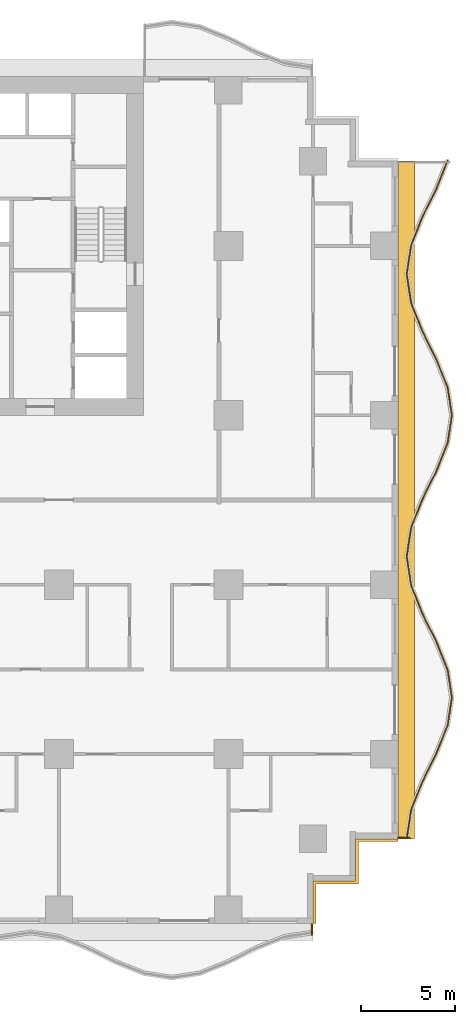
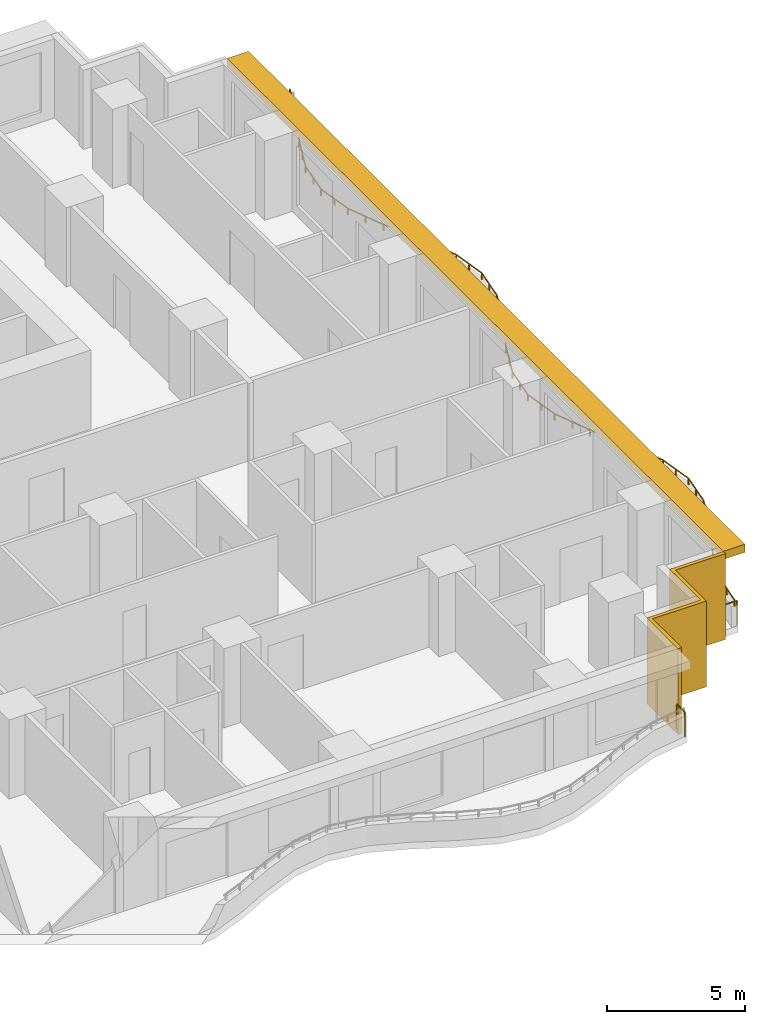
# One storey, part 11 of 14: 3 railings, 2 shading devices.
"""IFC4 building model written with IfcOpenShell, lengths in metres."""

from ifc_helpers import new_model, si_unit, direction, frame, origin, origin_2d, place, context, subcontext, project, spatial, polyline, rectangle, outline, extrude, material, layer, layer_set, type_object, element, save


model = new_model("IFC4")

# Units and contexts
model_context = context("Model", 3, precision=1e-05, world=origin(), true_north=direction((0.0, 1.0)))
body_context = subcontext(model_context, "Body", "Model", "MODEL_VIEW")
ifc_project = project(units=[si_unit("LENGTHUNIT", "METRE"), si_unit("AREAUNIT", "SQUARE_METRE"), si_unit("VOLUMEUNIT", "CUBIC_METRE"), si_unit("PLANEANGLEUNIT", "RADIAN"), si_unit("MASSUNIT", "GRAM", prefix="KILO")], contexts=[model_context])

# Site, building, storey
site_placement = place(None, origin())
site = spatial("IfcSite", under=ifc_project, at=site_placement, CompositionType="ELEMENT")
building_placement = place(site_placement, origin())
building = spatial("IfcBuilding", under=site, at=building_placement, Name="Orbiselva Terraces", CompositionType="ELEMENT")
storey_placement = place(building_placement, frame((0.0, 0.0, 37.8)))
storey = spatial("IfcBuildingStorey", under=building, at=storey_placement, Name="L09", CompositionType="ELEMENT", Elevation=37.8)

# Railings
ifc_material_1 = material(Name="Bonded two-ply safety glass balustrade, stainless steel posts", Category="steel")
railing_type_1 = type_object("IfcRailingType", Name="ENV-BALUSTRADE-1200", PredefinedType="BALUSTRADE", material=ifc_material_1)
railing_1_placement = place(storey_placement, frame((27.476434, -17.981121, 0.9)))
element("IfcRailing", 1, at=railing_1_placement, inside=storey, type_object=railing_type_1, Name="Balcony balustrade L09 E", PredefinedType="BALUSTRADE", context=body_context, shape_type="SweptSolid", body=[
    extrude(outline(polyline([(0.028868, 0.0), (0.014434, 0.025), (-0.014434, 0.025), (-0.028868, 0.0), (-0.014434, -0.025), (0.014434, -0.025), (0.028868, 0.0)])), frame((0.0, 0.0, 0.275), z_axis=(0.151033869252, 0.988528588529, 0.0), x_axis=(-0.988528588529, 0.151033869252, 0.0)), (0.0, 0.0, 1.0), 1.531776),
    extrude(outline(polyline([(0.028868, 0.0), (0.014434, 0.025), (-0.014434, 0.025), (-0.028868, 0.0), (-0.014434, -0.025), (0.014434, -0.025), (0.028868, 0.0)])), frame((0.23135, 1.514204, 0.275), z_axis=(0.371390359967, 0.92847681744, 0.0), x_axis=(-0.92847681744, 0.371390359967, 0.0)), (0.0, 0.0, 1.0), 1.634838),
    extrude(outline(polyline([(0.028868, 0.0), (0.014434, 0.025), (-0.014434, 0.025), (-0.028868, 0.0), (-0.014434, -0.025), (0.014434, -0.025), (0.028868, 0.0)])), frame((0.838513, 3.032113, 0.275), z_axis=(0.443212307306, 0.896416672454, 0.0), x_axis=(-0.896416672454, 0.443212307306, 0.0)), (0.0, 0.0, 1.0), 1.673329),
    extrude(outline(polyline([(0.028868, 0.0), (0.014434, 0.025), (-0.014434, 0.025), (-0.028868, 0.0), (-0.014434, -0.025), (0.014434, -0.025), (0.028868, 0.0)])), frame((1.580153, 4.532113, 0.275), z_axis=(0.371391000387, 0.928476561272, 0.0), x_axis=(-0.928476561272, 0.371391000387, 0.0)), (0.0, 0.0, 1.0), 1.596261),
    extrude(outline(polyline([(0.028868, 0.0), (0.014434, 0.025), (-0.014434, 0.025), (-0.028868, 0.0), (-0.014434, -0.025), (0.014434, -0.025), (0.028868, 0.0)])), frame((2.17299, 6.014204, 0.275), z_axis=(0.151033749027, 0.988528606898, 0.0), x_axis=(-0.988528606898, 0.151033749027, 0.0)), (0.0, 0.0, 1.0), 1.48394),
    extrude(outline(polyline([(0.028868, 0.0), (0.014434, 0.025), (-0.014434, 0.025), (-0.028868, 0.0), (-0.014434, -0.025), (0.014434, -0.025), (0.028868, 0.0)])), frame((2.397115, 7.481121, 0.275), z_axis=(-0.151033749027, 0.988528606898, 0.0), x_axis=(-0.988528606898, -0.151033749027, 0.0)), (0.0, 0.0, 1.0), 1.48394),
    extrude(outline(polyline([(0.028868, 0.0), (0.014434, 0.025), (-0.014434, 0.025), (-0.028868, 0.0), (-0.014434, -0.025), (0.014434, -0.025), (0.028868, 0.0)])), frame((2.17299, 8.948038, 0.275), z_axis=(-0.371391000387, 0.928476561272, 0.0), x_axis=(-0.928476561272, -0.371391000387, 0.0)), (0.0, 0.0, 1.0), 1.596261),
    extrude(outline(polyline([(0.028868, 0.0), (0.014434, 0.025), (-0.014434, 0.025), (-0.028868, 0.0), (-0.014434, -0.025), (0.014434, -0.025), (0.028868, 0.0)])), frame((1.580153, 10.430129, 0.275), z_axis=(-0.443212307306, 0.896416672454, 0.0), x_axis=(-0.896416672454, -0.443212307306, 0.0)), (0.0, 0.0, 1.0), 1.673329),
    extrude(outline(polyline([(0.028868, 0.0), (0.014434, 0.025), (-0.014434, 0.025), (-0.028868, 0.0), (-0.014434, -0.025), (0.014434, -0.025), (0.028868, 0.0)])), frame((0.838513, 11.930129, 0.275), z_axis=(-0.371390359967, 0.92847681744, 0.0), x_axis=(-0.92847681744, -0.371390359967, 0.0)), (0.0, 0.0, 1.0), 1.634838),
    extrude(outline(polyline([(0.028868, 0.0), (0.014434, 0.025), (-0.014434, 0.025), (-0.028868, 0.0), (-0.014434, -0.025), (0.014434, -0.025), (0.028868, 0.0)])), frame((0.23135, 13.448038, 0.275), z_axis=(-0.151034211256, 0.988528536275, 0.0), x_axis=(-0.988528536275, -0.151034211256, 0.0)), (0.0, 0.0, 1.0), 1.550874),
    extrude(outline(polyline([(0.028868, 0.0), (0.014434, 0.025), (-0.014434, 0.025), (-0.028868, 0.0), (-0.014434, -0.025), (0.014434, -0.025), (0.028868, 0.0)])), frame((-0.002885, 14.981121, 0.275), z_axis=(0.151034211256, 0.988528536275, 0.0), x_axis=(-0.988528536275, 0.151034211256, 0.0)), (0.0, 0.0, 1.0), 1.550874),
    extrude(outline(polyline([(0.028868, 0.0), (0.014434, 0.025), (-0.014434, 0.025), (-0.028868, 0.0), (-0.014434, -0.025), (0.014434, -0.025), (0.028868, 0.0)])), frame((0.23135, 16.514204, 0.275), z_axis=(0.371390359967, 0.92847681744, 0.0), x_axis=(-0.92847681744, 0.371390359967, 0.0)), (0.0, 0.0, 1.0), 1.634838),
    extrude(outline(polyline([(0.028868, 0.0), (0.014434, 0.025), (-0.014434, 0.025), (-0.028868, 0.0), (-0.014434, -0.025), (0.014434, -0.025), (0.028868, 0.0)])), frame((0.838513, 18.032113, 0.275), z_axis=(0.443212307306, 0.896416672454, 0.0), x_axis=(-0.896416672454, 0.443212307306, 0.0)), (0.0, 0.0, 1.0), 1.673329),
    extrude(outline(polyline([(0.028868, 0.0), (0.014434, 0.025), (-0.014434, 0.025), (-0.028868, 0.0), (-0.014434, -0.025), (0.014434, -0.025), (0.028868, 0.0)])), frame((1.580153, 19.532113, 0.275), z_axis=(0.371391000387, 0.928476561272, 0.0), x_axis=(-0.928476561272, 0.371391000387, 0.0)), (0.0, 0.0, 1.0), 1.596261),
    extrude(outline(polyline([(0.028868, 0.0), (0.014434, 0.025), (-0.014434, 0.025), (-0.028868, 0.0), (-0.014434, -0.025), (0.014434, -0.025), (0.028868, 0.0)])), frame((2.17299, 21.014204, 0.275), z_axis=(0.151033749027, 0.988528606898, 0.0), x_axis=(-0.988528606898, 0.151033749027, 0.0)), (0.0, 0.0, 1.0), 1.48394),
    extrude(outline(polyline([(0.028868, 0.0), (0.014434, 0.025), (-0.014434, 0.025), (-0.028868, 0.0), (-0.014434, -0.025), (0.014434, -0.025), (0.028868, 0.0)])), frame((2.397115, 22.481121, 0.275), z_axis=(-0.151033749027, 0.988528606898, 0.0), x_axis=(-0.988528606898, -0.151033749027, 0.0)), (0.0, 0.0, 1.0), 1.48394),
    extrude(outline(polyline([(0.028868, 0.0), (0.014434, 0.025), (-0.014434, 0.025), (-0.028868, 0.0), (-0.014434, -0.025), (0.014434, -0.025), (0.028868, 0.0)])), frame((2.17299, 23.948038, 0.275), z_axis=(-0.371391000387, 0.928476561272, 0.0), x_axis=(-0.928476561272, -0.371391000387, 0.0)), (0.0, 0.0, 1.0), 1.596261),
    extrude(outline(polyline([(0.028868, 0.0), (0.014434, 0.025), (-0.014434, 0.025), (-0.028868, 0.0), (-0.014434, -0.025), (0.014434, -0.025), (0.028868, 0.0)])), frame((1.580153, 25.430129, 0.275), z_axis=(-0.443212307306, 0.896416672454, 0.0), x_axis=(-0.896416672454, -0.443212307306, 0.0)), (0.0, 0.0, 1.0), 1.673329),
    extrude(outline(polyline([(0.028868, 0.0), (0.014434, 0.025), (-0.014434, 0.025), (-0.028868, 0.0), (-0.014434, -0.025), (0.014434, -0.025), (0.028868, 0.0)])), frame((0.838513, 26.930129, 0.275), z_axis=(-0.371390359967, 0.92847681744, 0.0), x_axis=(-0.92847681744, -0.371390359967, 0.0)), (0.0, 0.0, 1.0), 1.634838),
    extrude(outline(polyline([(0.028868, 0.0), (0.014434, 0.025), (-0.014434, 0.025), (-0.028868, 0.0), (-0.014434, -0.025), (0.014434, -0.025), (0.028868, 0.0)])), frame((0.23135, 28.448038, 0.275), z_axis=(-0.151034211256, 0.988528536275, 0.0), x_axis=(-0.988528536275, -0.151034211256, 0.0)), (0.0, 0.0, 1.0), 1.550874),
    extrude(outline(polyline([(0.028868, 0.0), (0.014434, 0.025), (-0.014434, 0.025), (-0.028868, 0.0), (-0.014434, -0.025), (0.014434, -0.025), (0.028868, 0.0)])), frame((-0.002885, 29.981121, 0.275), z_axis=(0.151034211256, 0.988528536275, 0.0), x_axis=(-0.988528536275, 0.151034211256, 0.0)), (0.0, 0.0, 1.0), 1.550874),
    extrude(outline(polyline([(0.028868, 0.0), (0.014434, 0.025), (-0.014434, 0.025), (-0.028868, 0.0), (-0.014434, -0.025), (0.014434, -0.025), (0.028868, 0.0)])), frame((0.23135, 31.514204, 0.275), z_axis=(0.371390359967, 0.92847681744, 0.0), x_axis=(-0.92847681744, 0.371390359967, 0.0)), (0.0, 0.0, 1.0), 1.634838),
    extrude(outline(polyline([(0.028868, 0.0), (0.014434, 0.025), (-0.014434, 0.025), (-0.028868, 0.0), (-0.014434, -0.025), (0.014434, -0.025), (0.028868, 0.0)])), frame((0.838513, 33.032113, 0.275), z_axis=(0.443212307306, 0.896416672454, 0.0), x_axis=(-0.896416672454, 0.443212307306, 0.0)), (0.0, 0.0, 1.0), 1.673329),
    extrude(outline(polyline([(0.028868, 0.0), (0.014434, 0.025), (-0.014434, 0.025), (-0.028868, 0.0), (-0.014434, -0.025), (0.014434, -0.025), (0.028868, 0.0)])), frame((1.580153, 34.532113, 0.275), z_axis=(0.371390783402, 0.928476648066, 0.0), x_axis=(-0.928476648066, 0.371390783402, 0.0)), (0.0, 0.0, 1.0), 1.61063),
    extrude(rectangle(XDim=0.05, YDim=0.05, at=origin_2d()), origin(), (0.0, 0.0, 1.0), 0.25),
    extrude(rectangle(XDim=0.05, YDim=0.05, at=origin_2d()), frame((0.115675, 0.757102, 0.0)), (0.0, 0.0, 1.0), 0.25),
    extrude(rectangle(XDim=0.05, YDim=0.05, at=origin_2d()), frame((0.23135, 1.514204, 0.0)), (0.0, 0.0, 1.0), 0.25),
    extrude(rectangle(XDim=0.05, YDim=0.05, at=origin_2d()), frame((0.534931, 2.273159, 0.0)), (0.0, 0.0, 1.0), 0.25),
    extrude(rectangle(XDim=0.05, YDim=0.05, at=origin_2d()), frame((0.838513, 3.032113, 0.0)), (0.0, 0.0, 1.0), 0.25),
    extrude(rectangle(XDim=0.05, YDim=0.05, at=origin_2d()), frame((1.209333, 3.782113, 0.0)), (0.0, 0.0, 1.0), 0.25),
    extrude(rectangle(XDim=0.05, YDim=0.05, at=origin_2d()), frame((1.580153, 4.532113, 0.0)), (0.0, 0.0, 1.0), 0.25),
    extrude(rectangle(XDim=0.05, YDim=0.05, at=origin_2d()), frame((1.876571, 5.273159, 0.0)), (0.0, 0.0, 1.0), 0.25),
    extrude(rectangle(XDim=0.05, YDim=0.05, at=origin_2d()), frame((2.17299, 6.014204, 0.0)), (0.0, 0.0, 1.0), 0.25),
    extrude(rectangle(XDim=0.05, YDim=0.05, at=origin_2d()), frame((2.285052, 6.747663, 0.0)), (0.0, 0.0, 1.0), 0.25),
    extrude(rectangle(XDim=0.05, YDim=0.05, at=origin_2d()), frame((2.397115, 7.481121, 0.0)), (0.0, 0.0, 1.0), 0.25),
    extrude(rectangle(XDim=0.05, YDim=0.05, at=origin_2d()), frame((2.285052, 8.21458, 0.0)), (0.0, 0.0, 1.0), 0.25),
    extrude(rectangle(XDim=0.05, YDim=0.05, at=origin_2d()), frame((2.17299, 8.948038, 0.0)), (0.0, 0.0, 1.0), 0.25),
    extrude(rectangle(XDim=0.05, YDim=0.05, at=origin_2d()), frame((1.876571, 9.689084, 0.0)), (0.0, 0.0, 1.0), 0.25),
    extrude(rectangle(XDim=0.05, YDim=0.05, at=origin_2d()), frame((1.580153, 10.430129, 0.0)), (0.0, 0.0, 1.0), 0.25),
    extrude(rectangle(XDim=0.05, YDim=0.05, at=origin_2d()), frame((1.209333, 11.180129, 0.0)), (0.0, 0.0, 1.0), 0.25),
    extrude(rectangle(XDim=0.05, YDim=0.05, at=origin_2d()), frame((0.838513, 11.930129, 0.0)), (0.0, 0.0, 1.0), 0.25),
    extrude(rectangle(XDim=0.05, YDim=0.05, at=origin_2d()), frame((0.534931, 12.689084, 0.0)), (0.0, 0.0, 1.0), 0.25),
    extrude(rectangle(XDim=0.05, YDim=0.05, at=origin_2d()), frame((0.23135, 13.448038, 0.0)), (0.0, 0.0, 1.0), 0.25),
    extrude(rectangle(XDim=0.05, YDim=0.05, at=origin_2d()), frame((0.114232, 14.21458, 0.0)), (0.0, 0.0, 1.0), 0.25),
    extrude(rectangle(XDim=0.05, YDim=0.05, at=origin_2d()), frame((-0.002885, 14.981121, 0.0)), (0.0, 0.0, 1.0), 0.25),
    extrude(rectangle(XDim=0.05, YDim=0.05, at=origin_2d()), frame((0.114232, 15.747663, 0.0)), (0.0, 0.0, 1.0), 0.25),
    extrude(rectangle(XDim=0.05, YDim=0.05, at=origin_2d()), frame((0.23135, 16.514204, 0.0)), (0.0, 0.0, 1.0), 0.25),
    extrude(rectangle(XDim=0.05, YDim=0.05, at=origin_2d()), frame((0.534931, 17.273158, 0.0)), (0.0, 0.0, 1.0), 0.25),
    extrude(rectangle(XDim=0.05, YDim=0.05, at=origin_2d()), frame((0.838513, 18.032113, 0.0)), (0.0, 0.0, 1.0), 0.25),
    extrude(rectangle(XDim=0.05, YDim=0.05, at=origin_2d()), frame((1.209333, 18.782113, 0.0)), (0.0, 0.0, 1.0), 0.25),
    extrude(rectangle(XDim=0.05, YDim=0.05, at=origin_2d()), frame((1.580153, 19.532113, 0.0)), (0.0, 0.0, 1.0), 0.25),
    extrude(rectangle(XDim=0.05, YDim=0.05, at=origin_2d()), frame((1.876571, 20.273158, 0.0)), (0.0, 0.0, 1.0), 0.25),
    extrude(rectangle(XDim=0.05, YDim=0.05, at=origin_2d()), frame((2.17299, 21.014204, 0.0)), (0.0, 0.0, 1.0), 0.25),
    extrude(rectangle(XDim=0.05, YDim=0.05, at=origin_2d()), frame((2.285052, 21.747663, 0.0)), (0.0, 0.0, 1.0), 0.25),
    extrude(rectangle(XDim=0.05, YDim=0.05, at=origin_2d()), frame((2.397115, 22.481121, 0.0)), (0.0, 0.0, 1.0), 0.25),
    extrude(rectangle(XDim=0.05, YDim=0.05, at=origin_2d()), frame((2.285052, 23.21458, 0.0)), (0.0, 0.0, 1.0), 0.25),
    extrude(rectangle(XDim=0.05, YDim=0.05, at=origin_2d()), frame((2.17299, 23.948038, 0.0)), (0.0, 0.0, 1.0), 0.25),
    extrude(rectangle(XDim=0.05, YDim=0.05, at=origin_2d()), frame((1.876571, 24.689084, 0.0)), (0.0, 0.0, 1.0), 0.25),
    extrude(rectangle(XDim=0.05, YDim=0.05, at=origin_2d()), frame((1.580153, 25.430129, 0.0)), (0.0, 0.0, 1.0), 0.25),
    extrude(rectangle(XDim=0.05, YDim=0.05, at=origin_2d()), frame((1.209333, 26.180129, 0.0)), (0.0, 0.0, 1.0), 0.25),
    extrude(rectangle(XDim=0.05, YDim=0.05, at=origin_2d()), frame((0.838513, 26.930129, 0.0)), (0.0, 0.0, 1.0), 0.25),
    extrude(rectangle(XDim=0.05, YDim=0.05, at=origin_2d()), frame((0.534931, 27.689084, 0.0)), (0.0, 0.0, 1.0), 0.25),
    extrude(rectangle(XDim=0.05, YDim=0.05, at=origin_2d()), frame((0.23135, 28.448038, 0.0)), (0.0, 0.0, 1.0), 0.25),
    extrude(rectangle(XDim=0.05, YDim=0.05, at=origin_2d()), frame((0.114232, 29.21458, 0.0)), (0.0, 0.0, 1.0), 0.25),
    extrude(rectangle(XDim=0.05, YDim=0.05, at=origin_2d()), frame((-0.002885, 29.981121, 0.0)), (0.0, 0.0, 1.0), 0.25),
    extrude(rectangle(XDim=0.05, YDim=0.05, at=origin_2d()), frame((0.114232, 30.747662, 0.0)), (0.0, 0.0, 1.0), 0.25),
    extrude(rectangle(XDim=0.05, YDim=0.05, at=origin_2d()), frame((0.23135, 31.514204, 0.0)), (0.0, 0.0, 1.0), 0.25),
    extrude(rectangle(XDim=0.05, YDim=0.05, at=origin_2d()), frame((0.534931, 32.273158, 0.0)), (0.0, 0.0, 1.0), 0.25),
    extrude(rectangle(XDim=0.05, YDim=0.05, at=origin_2d()), frame((0.838513, 33.032113, 0.0)), (0.0, 0.0, 1.0), 0.25),
    extrude(rectangle(XDim=0.05, YDim=0.05, at=origin_2d()), frame((1.209333, 33.782113, 0.0)), (0.0, 0.0, 1.0), 0.25),
    extrude(rectangle(XDim=0.05, YDim=0.05, at=origin_2d()), frame((1.580153, 34.532113, 0.0)), (0.0, 0.0, 1.0), 0.25),
    extrude(rectangle(XDim=0.05, YDim=0.05, at=origin_2d()), frame((1.879239, 35.279829, 0.0)), (0.0, 0.0, 1.0), 0.25),
    extrude(rectangle(XDim=0.05, YDim=0.05, at=origin_2d()), frame((2.178326, 36.027545, 0.0)), (0.0, 0.0, 1.0), 0.25),
])
ifc_material_2 = material(Name="Stainless steel rail and posts", Category="steel")
railing_type_2 = type_object("IfcRailingType", Name="ENV-GUARD-1105", PredefinedType="BALUSTRADE", material=ifc_material_2)
railing_2_placement = place(storey_placement, frame((22.44, -23.100379, 0.0)))
element("IfcRailing", 2, at=railing_2_placement, inside=storey, type_object=railing_type_2, Name="Balcony end guard L09 S", PredefinedType="BALUSTRADE", context=body_context, shape_type="SweptSolid", body=[
    extrude(outline(polyline([(0.028868, 0.0), (0.014434, 0.025), (-0.014434, 0.025), (-0.028868, 0.0), (-0.014434, -0.025), (0.014434, -0.025), (0.028868, 0.0)])), frame((0.0, 0.0, 1.08), z_axis=(0.0, 1.0, 0.0), x_axis=(-1.0, 0.0, 0.0)), (0.0, 0.0, 1.0), 0.575379),
    extrude(rectangle(XDim=0.05, YDim=0.05, at=origin_2d()), origin(), (0.0, 0.0, 1.0), 1.055),
    extrude(rectangle(XDim=0.05, YDim=0.05, at=origin_2d()), frame((0.0, 0.575379, 0.0)), (0.0, 0.0, 1.0), 1.055),
])
railing_3_placement = place(storey_placement, frame((27.600379, -17.94, 0.0)))
element("IfcRailing", 3, at=railing_3_placement, inside=storey, type_object=railing_type_2, Name="Balcony end guard L09 E", PredefinedType="BALUSTRADE", context=body_context, shape_type="SweptSolid", body=[
    extrude(outline(polyline([(0.028868, 0.0), (0.014434, 0.025), (-0.014434, 0.025), (-0.028868, 0.0), (-0.014434, -0.025), (0.014434, -0.025), (0.028868, 0.0)])), frame((0.0, 0.0, 1.08), z_axis=(-1.0, 0.0, 0.0), x_axis=(0.0, -1.0, 0.0)), (0.0, 0.0, 1.0), 0.575379),
    extrude(rectangle(XDim=0.05, YDim=0.05, at=origin_2d()), origin(), (0.0, 0.0, 1.0), 1.055),
    extrude(rectangle(XDim=0.05, YDim=0.05, at=origin_2d()), frame((-0.575379, 0.0, 0.0)), (0.0, 0.0, 1.0), 1.055),
])

# Shading devices
ifc_material_3 = material(Name="Terracotta louvre screen", Category="masonry")
ifc_layer_1 = layer(ifc_material_3, 0.15)
ifc_layer_set_1 = layer_set([ifc_layer_1], Name="Terracotta louvre screen")
shading_device_type_1 = type_object("IfcShadingDeviceType", Name="ENV-SCREEN-150", PredefinedType="USERDEFINED", material=ifc_layer_set_1)
shading_device_1_placement = place(storey_placement, frame((0.0, 0.0, -0.3)))
element("IfcShadingDevice", 4, at=shading_device_1_placement, inside=storey, type_object=shading_device_type_1, Name="Louvre screen L09 SE", ObjectType="SCREEN", PredefinedType="USERDEFINED", context=body_context, shape_type="SweptSolid", body=[
    extrude(outline(polyline([(22.65, -22.5), (22.65, -20.4), (24.9, -20.4), (24.9, -18.15), (27.0, -18.15), (27.0, -18.0), (24.75, -18.0), (24.75, -20.25), (22.5, -20.25), (22.5, -22.5), (22.65, -22.5)])), origin(), (0.0, 0.0, 1.0), 3.8),
])
ifc_material_4 = material(Name="Terracotta baguette sunshade", Category="masonry")
ifc_layer_2 = layer(ifc_material_4, 0.35)
ifc_layer_set_2 = layer_set([ifc_layer_2], Name="Terracotta baguette sunshade")
shading_device_type_2 = type_object("IfcShadingDeviceType", Name="ENV-SUNSHADE-900x350", PredefinedType="USERDEFINED", material=ifc_layer_set_2)
shading_device_2_placement = place(storey_placement, frame((0.0, 0.0, 3.15)))
element("IfcShadingDevice", 5, at=shading_device_2_placement, inside=storey, type_object=shading_device_type_2, Name="Sunshade band L09 E", ObjectType="SUNSHADE", PredefinedType="USERDEFINED", context=body_context, shape_type="SweptSolid", body=[
    extrude(outline(polyline([(27.9, -18.0), (27.9, 18.0), (27.0, 18.0), (27.0, -18.0), (27.9, -18.0)])), origin(), (0.0, 0.0, 1.0), 0.35),
])

save(model, "model.ifc")
